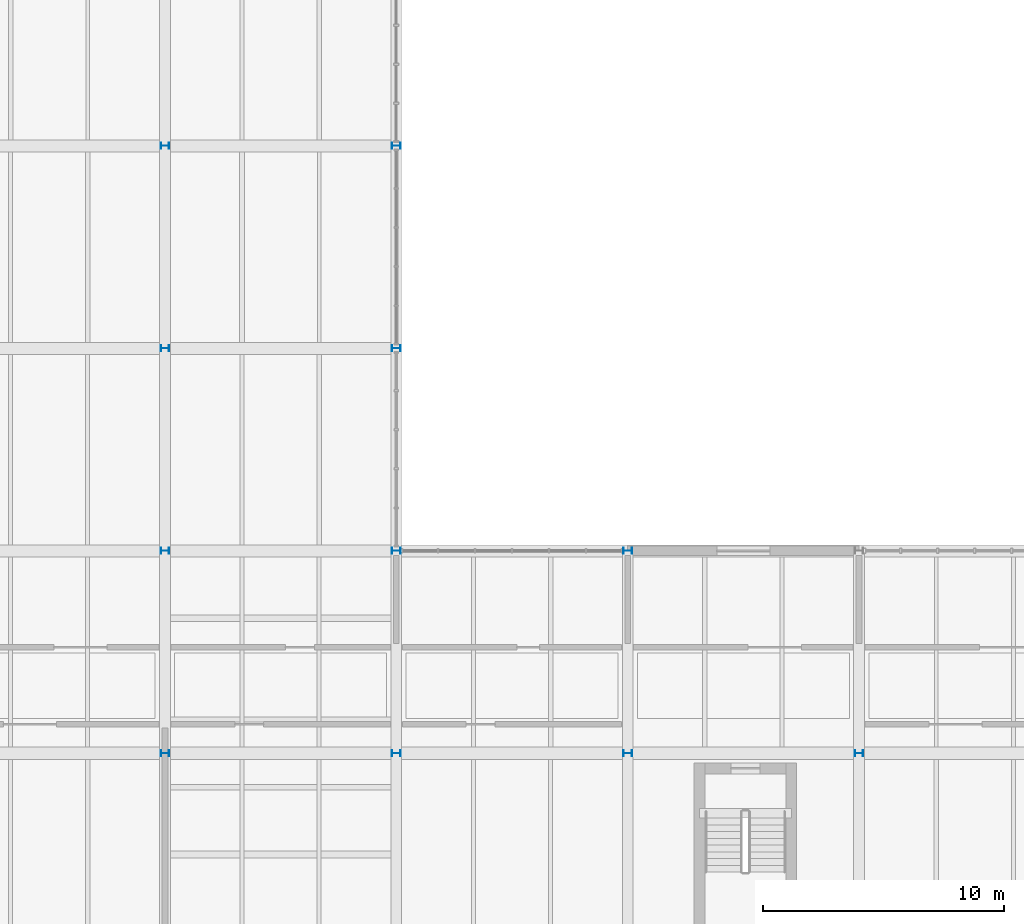
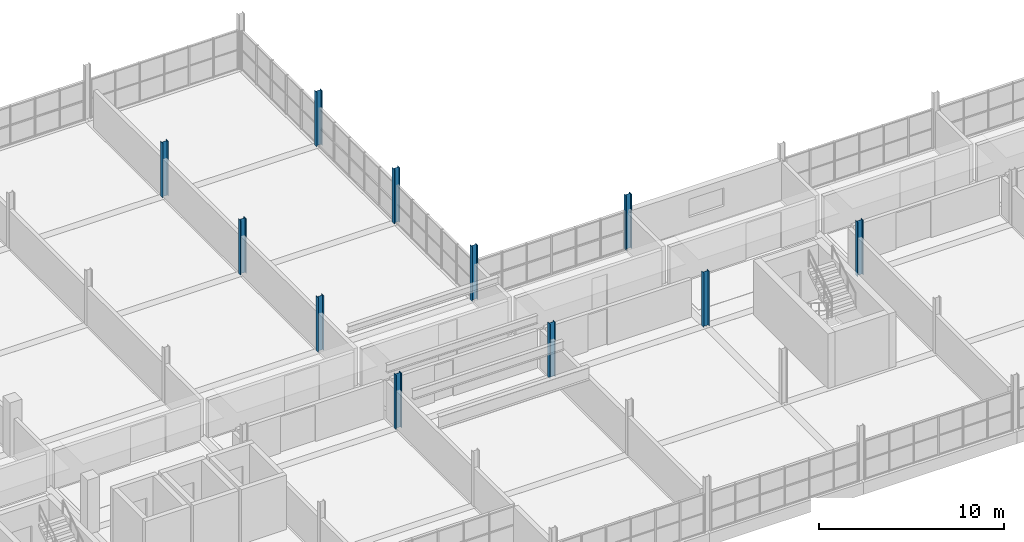
# One storey, part 12 of 147: 11 columns.
"""IFC4 building model written with IfcOpenShell, lengths in metres."""

from ifc_helpers import new_model, si_unit, direction, frame, origin, origin_2d, place, context, subcontext, project, spatial, i_section, extrude, material, material_profile, profile_set, type_object, element, save


model = new_model("IFC4")

# Units and contexts
model_context = context("Model", 3, precision=1e-05, world=origin(), true_north=direction((0.0, 1.0)))
body_context = subcontext(model_context, "Body", "Model", "MODEL_VIEW")
ifc_project = project(units=[si_unit("LENGTHUNIT", "METRE"), si_unit("AREAUNIT", "SQUARE_METRE"), si_unit("VOLUMEUNIT", "CUBIC_METRE"), si_unit("PLANEANGLEUNIT", "RADIAN"), si_unit("MASSUNIT", "GRAM", prefix="KILO")], contexts=[model_context])

# Site, building, storey
site_placement = place(None, origin())
site = spatial("IfcSite", under=ifc_project, at=site_placement, CompositionType="ELEMENT")
building_placement = place(site_placement, origin())
building = spatial("IfcBuilding", under=site, at=building_placement, Name="Oolite Switchyard Hospital", CompositionType="ELEMENT")
storey_placement = place(building_placement, frame((0.0, 0.0, 9.89990234375)))
storey = spatial("IfcBuildingStorey", under=building, at=storey_placement, Name="L02", CompositionType="ELEMENT", Elevation=9.89990234375)

# Columns
ifc_material = material(Name="Steel ASTM A992 Grade 50", Category="steel")
ifc_material_profile = material_profile(ifc_material, i_section(OverallWidth=0.25390625, OverallDepth=0.35595703125, WebThickness=0.010986328125, FlangeThickness=0.01806640625, at=origin_2d()), Name="W14X68")
ifc_profile_set = profile_set([ifc_material_profile], Name="Steel ASTM A992 Grade 50")
column_type = type_object("IfcColumnType", Name="COL-STL14X68", PredefinedType="COLUMN", material=ifc_profile_set)
for number, where, z_axis, x_axis, name in (
    (1, (67.199951171875, 100.800048828125, 0.0), (0.0, 0.0, 1.0), (0.0, -1.0, 0.0), "L02 Column 739"),
    (2, (67.199951171875, 109.199951171875, 0.0), (0.0, 0.0, 1.0), (0.0, -1.0, 0.0), "L02 Column 740"),
    (3, (67.199951171875, 117.60009765625, 0.0), (0.0, 0.0, 1.0), (0.0, -1.0, 0.0), "L02 Column 741"),
    (4, (67.199951171875, 126.0, 0.0), (0.0, 0.0, 1.0), (0.0, -1.0, 0.0), "L02 Column 742"),
    (5, (76.800048828125, 100.800048828125, 0.0), (0.0, 0.0, 1.0), (0.0, -1.0, 0.0), "L02 Column 748"),
    (6, (76.800048828125, 109.199951171875, 0.0), (0.0, 0.0, 1.0), (0.0, -1.0, 0.0), "L02 Column 749"),
    (7, (76.800048828125, 117.60009765625, 0.0), (0.0, 0.0, 1.0), (0.0, -1.0, 0.0), "L02 Column 750"),
    (8, (76.800048828125, 126.0, 0.0), (0.0, 0.0, 1.0), (0.0, -1.0, 0.0), "L02 Column 751"),
    (9, (86.39990234375, 100.800048828125, 0.0), (0.0, 0.0, 1.0), (0.0, -1.0, 0.0), "L02 Column 757"),
    (10, (86.39990234375, 109.199951171875, 0.0), (0.0, 0.0, 1.0), (0.0, -1.0, 0.0), "L02 Column 758"),
    (11, (96.0, 100.800048828125, 0.0), (0.0, 0.0, 1.0), (0.0, -1.0, 0.0), "L02 Column 763"),
):
    element("IfcColumn", number, at=place(storey_placement, frame(where, z_axis=z_axis, x_axis=x_axis)), inside=storey, type_object=column_type, Name=name, PredefinedType="COLUMN", context=body_context, shape_type="SweptSolid", body=[
        extrude(i_section(OverallWidth=0.25390625, OverallDepth=0.35595703125, WebThickness=0.010986328125, FlangeThickness=0.01806640625, at=origin_2d()), origin(), (0.0, 0.0, 1.0), 3.60009765625),
    ])

save(model, "model.ifc")
